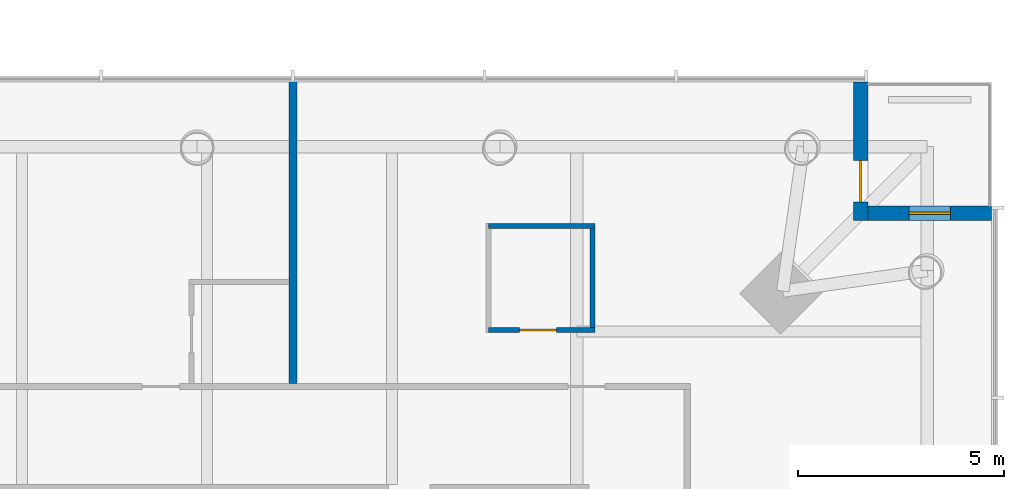
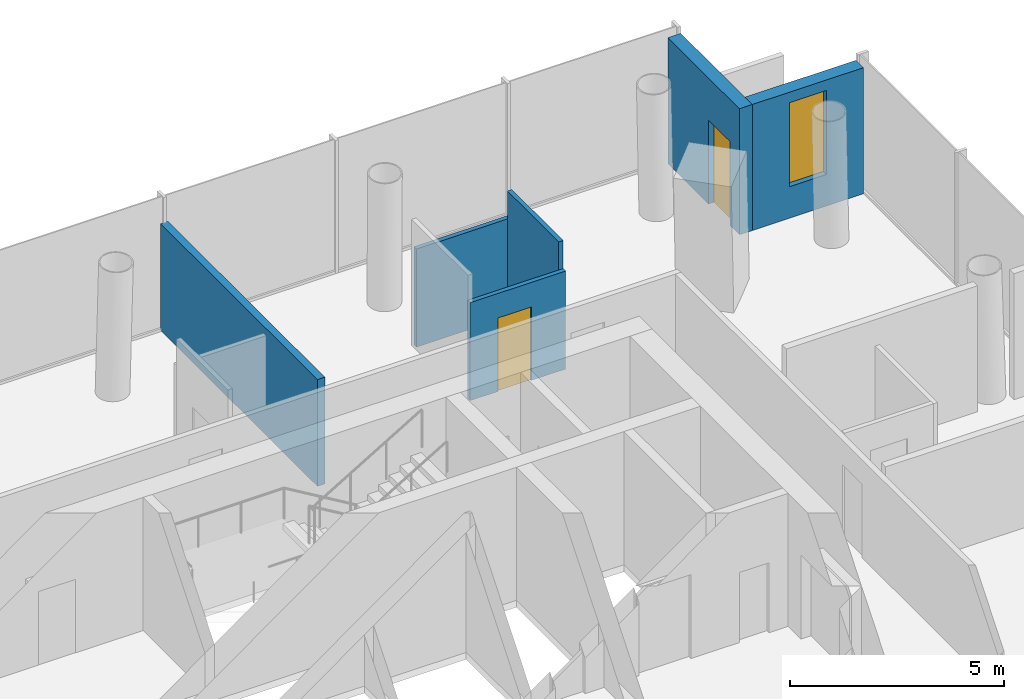
# One storey, part 16 of 26: 6 walls, 2 doors, 1 window, 3 openings.
"""IFC4 building model written with IfcOpenShell, lengths in metres."""

from ifc_helpers import new_model, si_unit, direction, frame, frame_2d, origin, place, context, subcontext, project, spatial, rectangle, extrude, material, layer, layer_set, type_object, element, fill, save


model = new_model("IFC4")

# Units and contexts
model_context = context("Model", 3, precision=1e-05, world=origin(), true_north=direction((0.0, 1.0)))
body_context = subcontext(model_context, "Body", "Model", "MODEL_VIEW")
ifc_project = project(units=[si_unit("LENGTHUNIT", "METRE"), si_unit("AREAUNIT", "SQUARE_METRE"), si_unit("VOLUMEUNIT", "CUBIC_METRE"), si_unit("PLANEANGLEUNIT", "RADIAN"), si_unit("MASSUNIT", "GRAM", prefix="KILO")], contexts=[model_context])

# Site, building, storey
site_placement = place(None, origin())
site = spatial("IfcSite", under=ifc_project, at=site_placement, CompositionType="ELEMENT")
building_placement = place(site_placement, origin())
building = spatial("IfcBuilding", under=site, at=building_placement, Name="Ostroluk Exchange", CompositionType="ELEMENT")
storey_placement = place(building_placement, frame((0.0, 0.0, 51.39990234375)))
storey = spatial("IfcBuildingStorey", under=building, at=storey_placement, Name="L12", CompositionType="ELEMENT", Elevation=51.39990234375)

# Wall, opening, door
ifc_material_1 = material(Name="Limestone", Category="masonry")
ifc_layer_1 = layer(ifc_material_1, 0.35009765625)
ifc_layer_set_1 = layer_set([ifc_layer_1], Name="Limestone facade wall 350")
wall_type_1 = type_object("IfcWallType", Name="Limestone facade wall 350", PredefinedType="SOLIDWALL", material=ifc_layer_set_1)
wall_1_placement = place(storey_placement, frame((133.074951171875, 65.25, 0.0), z_axis=(0.0, 0.0, 1.0), x_axis=(0.0, -1.0, 0.0)))
wall_1 = element("IfcWall", 1, at=wall_1_placement, inside=storey, type_object=wall_type_1, Name="Hotel tower NE corner wall L12 a", PredefinedType="SOLIDWALL", context=body_context, shape_type="SweptSolid", body=[
    extrude(rectangle(XDim=3.35009765625, YDim=0.35009765625, at=frame_2d((1.675048828125, 0.0))), origin(), (0.0, 0.0, 1.0), 3.60009765625),
])
opening_1_placement = place(wall_1_placement, frame((1.89990234375, 0.0, 0.0)))
opening_1 = element("IfcOpeningElement", 2, at=opening_1_placement, cuts=wall_1, Name="Opening D-B1", PredefinedType="OPENING", context=body_context, shape_type="SweptSolid", body=[
    extrude(rectangle(XDim=1.0, YDim=2.39990234375, at=frame_2d((0.5, 1.199951171875))), frame((0.0, 0.18505859375, 0.0), z_axis=(0.0, -1.0, 0.0), x_axis=(1.0, 0.0, 0.0)), (0.0, 0.0, 1.0), 0.3701171875),
])
ifc_material_2 = material(Name="Bronze framed glazed door", Category="aluminium")
door_type_1 = type_object("IfcDoorType", Name="Balcony door 1000 x 2400", OperationType="SINGLE_SWING_LEFT", PredefinedType="DOOR", material=ifc_material_2)
door_1_placement = place(opening_1_placement, origin())
door_1 = element("IfcDoor", 3, at=door_1_placement, inside=storey, type_object=door_type_1, Name="Hotel tower NE balcony door L12", OperationType="SINGLE_SWING_RIGHT", OverallHeight=2.39990234375, OverallWidth=1.0, PredefinedType="DOOR", context=body_context, shape_type="SweptSolid", body=[
    extrude(rectangle(XDim=1.0, YDim=2.39990234375, at=frame_2d((0.5, 1.199951171875))), frame((0.0, 0.02490234375, 0.0), z_axis=(0.0, -1.0, 0.0), x_axis=(1.0, 0.0, 0.0)), (0.0, 0.0, 1.0), 0.050048828125),
])
fill(opening_1, door_1)

# Wall, opening, window
wall_2_placement = place(storey_placement, frame((133.25, 62.074951171875, 0.0), z_axis=(0.0, 0.0, 1.0), x_axis=(1.0, 0.0, 0.0)))
wall_2 = element("IfcWall", 4, at=wall_2_placement, inside=storey, type_object=wall_type_1, Name="Hotel tower NE corner wall L12 b", PredefinedType="SOLIDWALL", context=body_context, shape_type="SweptSolid", body=[
    extrude(rectangle(XDim=3.0, YDim=0.35009765625, at=frame_2d((1.5, 0.0))), origin(), (0.0, 0.0, 1.0), 3.60009765625),
])
opening_2_placement = place(wall_2_placement, frame((1.0, 0.0, 0.89990234375)))
opening_2 = element("IfcOpeningElement", 5, at=opening_2_placement, cuts=wall_2, Name="Opening WN-L3", PredefinedType="OPENING", context=body_context, shape_type="SweptSolid", body=[
    extrude(rectangle(XDim=1.0, YDim=2.39990234375, at=frame_2d((0.5, 1.199951171875))), frame((0.0, 0.18505859375, 0.0), z_axis=(0.0, -1.0, 0.0), x_axis=(1.0, 0.0, 0.0)), (0.0, 0.0, 1.0), 0.3701171875),
])
ifc_material_3 = material(Name="Laminated clear glass", Category="glass")
window_type = type_object("IfcWindowType", Name="Hotel lancet window 1000 x 2400", PartitioningType="SINGLE_PANEL", PredefinedType="WINDOW", material=ifc_material_3)
window_placement = place(opening_2_placement, origin())
window = element("IfcWindow", 6, at=window_placement, inside=storey, type_object=window_type, Name="Hotel tower NE lancet window L12", OverallHeight=2.39990234375, OverallWidth=1.0, PartitioningType="SINGLE_PANEL", PredefinedType="WINDOW", context=body_context, shape_type="SweptSolid", body=[
    extrude(rectangle(XDim=1.0, YDim=2.39990234375, at=frame_2d((0.5, 1.199951171875))), frame((0.0, 0.030029296875, 0.0), z_axis=(0.0, -1.0, 0.0), x_axis=(1.0, 0.0, 0.0)), (0.0, 0.0, 1.0), 0.06005859375),
])
fill(opening_2, window)

# Wall, opening, door
ifc_material_4 = material(Name="Gypsum plasterboard partition, moisture resistant", Category="gypsum")
ifc_layer_2 = layer(ifc_material_4, 0.1201171875)
ifc_layer_set_2 = layer_set([ifc_layer_2], Name="Plasterboard en-suite wall 120")
wall_type_2 = type_object("IfcWallType", Name="Plasterboard en-suite wall 120", PredefinedType="PARTITIONING", material=ifc_layer_set_2)
wall_3_placement = place(storey_placement, frame((124.064208984375, 59.25, 0.0), z_axis=(0.0, 0.0, 1.0), x_axis=(1.0, 0.0, 0.0)))
wall_3 = element("IfcWall", 7, at=wall_3_placement, inside=storey, type_object=wall_type_2, Name="En-suite wall", PredefinedType="PARTITIONING", context=body_context, shape_type="SweptSolid", body=[
    extrude(rectangle(XDim=2.580078125, YDim=0.1201171875, at=frame_2d((1.2900390625, 0.0))), origin(), (0.0, 0.0, 1.0), 2.800048828125),
])
opening_3_placement = place(wall_3_placement, frame((0.75, 0.0, 0.0)))
opening_3 = element("IfcOpeningElement", 8, at=opening_3_placement, cuts=wall_3, Name="Opening D-02", PredefinedType="OPENING", context=body_context, shape_type="SweptSolid", body=[
    extrude(rectangle(XDim=0.89990234375, YDim=2.10009765625, at=frame_2d((0.449951171875, 1.050048828125))), frame((0.0, 0.070068359375, 0.0), z_axis=(0.0, -1.0, 0.0), x_axis=(1.0, 0.0, 0.0)), (0.0, 0.0, 1.0), 0.14013671875),
])
ifc_material_5 = material(Name="Timber", Category="wood")
door_type_2 = type_object("IfcDoorType", Name="En-suite door 900 x 2100", OperationType="SINGLE_SWING_LEFT", PredefinedType="DOOR", material=ifc_material_5)
door_2_placement = place(opening_3_placement, origin())
door_2 = element("IfcDoor", 9, at=door_2_placement, inside=storey, type_object=door_type_2, Name="En-suite door 1204", OperationType="SINGLE_SWING_LEFT", OverallHeight=2.10009765625, OverallWidth=0.89990234375, PredefinedType="DOOR", context=body_context, shape_type="SweptSolid", body=[
    extrude(rectangle(XDim=0.89990234375, YDim=2.10009765625, at=frame_2d((0.449951171875, 1.050048828125))), frame((0.0, 0.02490234375, 0.0), z_axis=(0.0, -1.0, 0.0), x_axis=(1.0, 0.0, 0.0)), (0.0, 0.0, 1.0), 0.050048828125),
])
fill(opening_3, door_2)

# Walls
wall_4_placement = place(storey_placement, frame((124.064208984375, 61.77001953125, 0.0), z_axis=(0.0, 0.0, 1.0), x_axis=(1.0, 0.0, 0.0)))
element("IfcWall", 10, at=wall_4_placement, inside=storey, type_object=wall_type_2, Name="En-suite wall", PredefinedType="PARTITIONING", context=body_context, shape_type="SweptSolid", body=[
    extrude(rectangle(XDim=2.580078125, YDim=0.1201171875, at=frame_2d((1.2900390625, 0.0))), origin(), (0.0, 0.0, 1.0), 2.800048828125),
])
wall_5_placement = place(storey_placement, frame((126.584228515625, 59.31005859375, 0.0), z_axis=(0.0, 0.0, 1.0), x_axis=(0.0, 1.0, 0.0)))
element("IfcWall", 11, at=wall_5_placement, inside=storey, type_object=wall_type_2, Name="En-suite wall", PredefinedType="PARTITIONING", context=body_context, shape_type="SweptSolid", body=[
    extrude(rectangle(XDim=2.39990234375, YDim=0.1201171875, at=frame_2d((1.199951171875, 0.0))), origin(), (0.0, 0.0, 1.0), 3.60009765625),
])
ifc_material_6 = material(Name="Gypsum plasterboard partition", Category="gypsum")
ifc_layer_3 = layer(ifc_material_6, 0.199951171875)
ifc_layer_set_3 = layer_set([ifc_layer_3], Name="Plasterboard party wall 200")
wall_type_3 = type_object("IfcWallType", Name="Plasterboard party wall 200", PredefinedType="PARTITIONING", material=ifc_layer_set_3)
wall_6_placement = place(storey_placement, frame((119.321533203125, 57.949951171875, 0.0), z_axis=(0.0, 0.0, 1.0), x_axis=(0.0, 1.0, 0.0)))
element("IfcWall", 12, at=wall_6_placement, inside=storey, type_object=wall_type_3, Name="Party wall", PredefinedType="PARTITIONING", context=body_context, shape_type="SweptSolid", body=[
    extrude(rectangle(XDim=7.340087890625, YDim=0.199951171875, at=frame_2d((3.669921875, 0.0))), origin(), (0.0, 0.0, 1.0), 3.050048828125),
])

save(model, "model.ifc")
